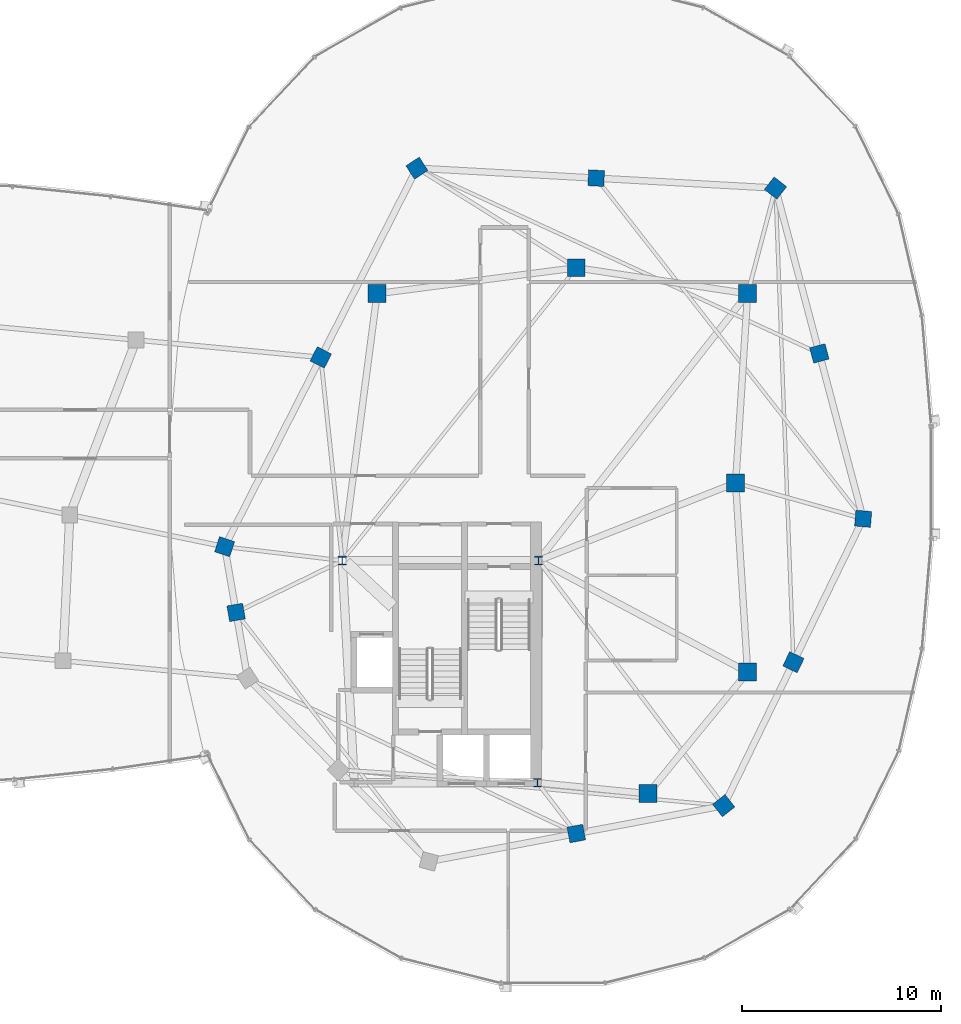
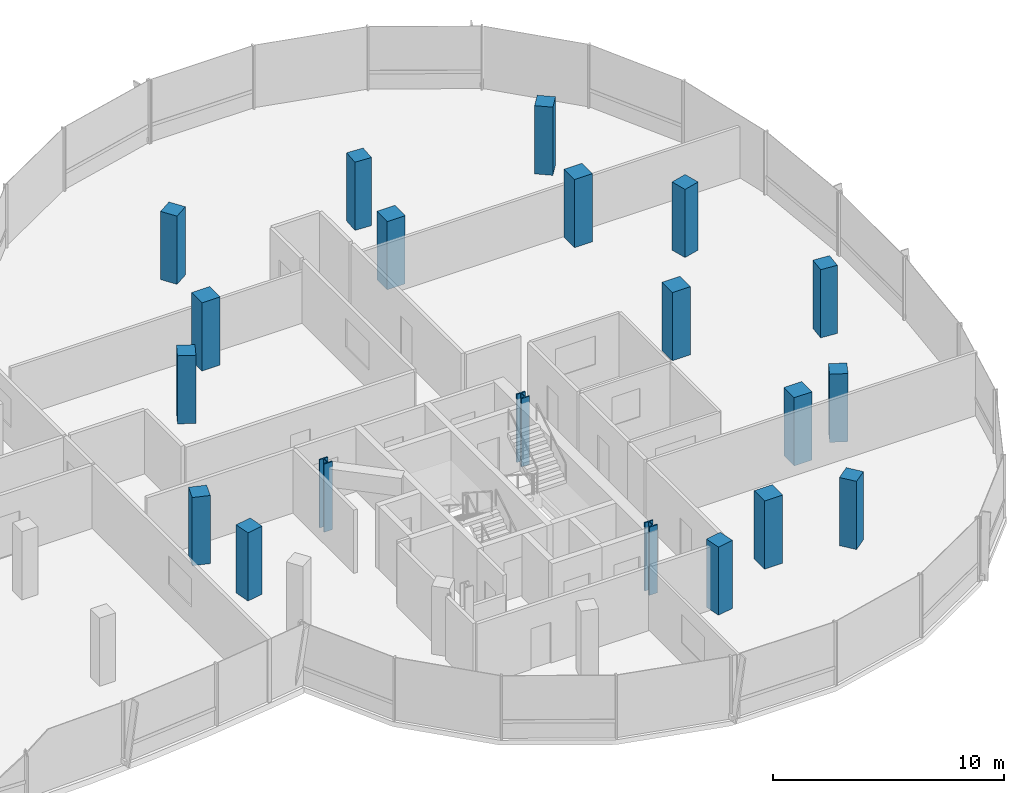
# One storey, part 2 of 25: 20 columns.
"""IFC4 building model written with IfcOpenShell, lengths in metres."""

from ifc_helpers import new_model, si_unit, direction, frame, origin, origin_2d, place, context, subcontext, project, spatial, rectangle, i_section, extrude, material, material_profile, profile_set, type_object, element, save


model = new_model("IFC4")

# Units and contexts
model_context = context("Model", 3, precision=1e-05, world=origin(), true_north=direction((0.0, 1.0)))
body_context = subcontext(model_context, "Body", "Model", "MODEL_VIEW")
ifc_project = project(units=[si_unit("LENGTHUNIT", "METRE"), si_unit("AREAUNIT", "SQUARE_METRE"), si_unit("VOLUMEUNIT", "CUBIC_METRE"), si_unit("PLANEANGLEUNIT", "RADIAN"), si_unit("MASSUNIT", "GRAM", prefix="KILO"), si_unit("THERMODYNAMICTEMPERATUREUNIT", "KELVIN"), si_unit("POWERUNIT", "WATT")], contexts=[model_context])

# Site, building, storey
site_placement = place(None, origin())
site = spatial("IfcSite", under=ifc_project, at=site_placement, CompositionType="ELEMENT")
building_placement = place(site_placement, origin())
building = spatial("IfcBuilding", under=site, at=building_placement, Name="Cundina Bronze Exchange", CompositionType="ELEMENT")
storey_placement = place(building_placement, frame((0.0, 0.0, 257.60009765625)))
storey = spatial("IfcBuildingStorey", under=building, at=storey_placement, Name="L68", CompositionType="ELEMENT", Elevation=257.60009765625)

# Columns
ifc_material_1 = material(Name="Concrete C50/60", Category="concrete")
ifc_material_profile_1 = material_profile(ifc_material_1, rectangle(XDim=0.800048828125, YDim=0.800048828125, at=origin_2d()), Name="RC800X800", Category="concrete")
ifc_profile_set_1 = profile_set([ifc_material_profile_1], Name="Concrete C50/60")
column_type_1 = type_object("IfcColumnType", Name="COL-BRG-800", PredefinedType="COLUMN", material=ifc_profile_set_1)
for number, where, z_axis, x_axis, name in (
    (1, (15.550048828125, -3.199951171875, 0.0), (0.0, 0.0, 1.0), (-0.315152163383, -0.949041155016, 0.0), "L68 E Perimeter Column 00"),
    (2, (16.125, -6.5, 0.0), (0.0, 0.0, 1.0), (0.171585221787, -0.985169280715, 0.0), "L68 E Perimeter Column 01"),
    (3, (33.199951171875, -17.60009765625, 0.0), (0.0, 0.0, 1.0), (0.98258037664, 0.185838110843, 0.0), "L68 E Perimeter Column 05"),
    (4, (40.60009765625, -16.199951171875, 0.0), (0.0, 0.0, 1.0), (0.785100778485, 0.619368038909, 0.0), "L68 E Perimeter Column 06"),
    (5, (44.10009765625, -9.0, 0.0), (0.0, 0.0, 1.0), (0.437115766651, 0.899405251566, 0.0), "L68 E Perimeter Column 07"),
    (6, (47.60009765625, -1.800048828125, 0.0), (0.0, 0.0, 1.0), (0.083503921245, 0.996507448611, 0.0), "L68 E Perimeter Column 08"),
    (7, (45.39990234375, 6.5, 0.0), (0.0, 0.0, 1.0), (-0.256289373133, 0.966600102017, 0.0), "L68 E Perimeter Column 09"),
    (8, (43.199951171875, 14.800048828125, 0.0), (0.0, 0.0, 1.0), (-0.786288432137, 0.61785961309, 0.0), "L68 E Perimeter Column 10"),
    (9, (34.199951171875, 15.300048828125, 0.0), (0.0, 0.0, 1.0), (-0.998460188734, 0.055472980025, 0.0), "L68 E Perimeter Column 11"),
    (10, (25.199951171875, 15.800048828125, 0.0), (0.0, 0.0, 1.0), (-0.838099763533, -0.545516989988, 0.0), "L68 E Perimeter Column 12"),
    (11, (20.375, 6.300048828125, 0.0), (0.0, 0.0, 1.0), (-0.452901591366, -0.891560513111, 0.0), "L68 E Perimeter Column 13"),
):
    element("IfcColumn", number, at=place(storey_placement, frame(where, z_axis=z_axis, x_axis=x_axis)), inside=storey, type_object=column_type_1, Name=name, PredefinedType="COLUMN", context=body_context, shape_type="SweptSolid", body=[
        extrude(rectangle(XDim=0.800048828125, YDim=0.800048828125, at=origin_2d()), origin(), (0.0, 0.0, 1.0), 3.599853515625),
    ])
ifc_material_2 = material(Name="Steel ASTM A992 Grade 50", Category="steel")
ifc_material_profile_2 = material_profile(ifc_material_2, i_section(OverallWidth=0.416015625, OverallDepth=0.446044921875, WebThickness=0.0390625, FlangeThickness=0.062744140625, FilletRadius=0.01806640625, at=origin_2d()), Name="W14X342", Category="steel")
ifc_profile_set_2 = profile_set([ifc_material_profile_2], Name="Steel ASTM A992 Grade 50")
column_type_2 = type_object("IfcColumnType", Name="COL-STL-W14B", PredefinedType="COLUMN", material=ifc_profile_set_2)
for number, where, z_axis, x_axis, name in (
    (12, (31.300048828125, -3.89990234375, 0.0), (0.0, 0.0, 1.0), (1.0, 0.0, 0.0), "L68 Core Anchor Column E1"),
    (13, (21.449951171875, -3.89990234375, 0.0), (0.0, 0.0, 1.0), (1.0, 0.0, 0.0), "L68 Core Anchor Column E2"),
    (14, (31.25, -15.050048828125, 0.0), (0.0, 0.0, 1.0), (1.0, 0.0, 0.0), "L68 Core Anchor Column E4"),
):
    element("IfcColumn", number, at=place(storey_placement, frame(where, z_axis=z_axis, x_axis=x_axis)), inside=storey, type_object=column_type_2, Name=name, PredefinedType="COLUMN", context=body_context, shape_type="SweptSolid", body=[
        extrude(i_section(OverallWidth=0.416015625, OverallDepth=0.446044921875, WebThickness=0.0390625, FlangeThickness=0.062744140625, FilletRadius=0.01806640625, at=origin_2d()), origin(), (0.0, 0.0, 1.0), 3.599853515625),
    ])
ifc_material_profile_3 = material_profile(ifc_material_1, rectangle(XDim=0.89990234375, YDim=0.89990234375, at=origin_2d()), Name="RC900X900", Category="concrete")
ifc_profile_set_3 = profile_set([ifc_material_profile_3], Name="Concrete C50/60")
column_type_3 = type_object("IfcColumnType", Name="COL-Z4-900", PredefinedType="COLUMN", material=ifc_profile_set_3)
for number, where, z_axis, x_axis, name in (
    (15, (41.199951171875, 0.0, 0.0), (0.0, 0.0, 1.0), (1.0, 0.0, 0.0), "L68 E Inner Ring Column 1"),
    (16, (41.800048828125, -9.5, 0.0), (0.0, 0.0, 1.0), (1.0, 0.0, 0.0), "L68 E Inner Ring Column 2"),
    (17, (36.800048828125, -15.60009765625, 0.0), (0.0, 0.0, 1.0), (1.0, 0.0, 0.0), "L68 E Inner Ring Column 3"),
    (18, (41.800048828125, 9.5, 0.0), (0.0, 0.0, 1.0), (1.0, 0.0, 0.0), "L68 E Inner Ring Column 4"),
    (19, (33.199951171875, 10.800048828125, 0.0), (0.0, 0.0, 1.0), (1.0, 0.0, 0.0), "L68 E Inner Ring Column 5"),
    (20, (23.199951171875, 9.5, 0.0), (0.0, 0.0, 1.0), (1.0, 0.0, 0.0), "L68 E Inner Ring Column 6"),
):
    element("IfcColumn", number, at=place(storey_placement, frame(where, z_axis=z_axis, x_axis=x_axis)), inside=storey, type_object=column_type_3, Name=name, PredefinedType="COLUMN", context=body_context, shape_type="SweptSolid", body=[
        extrude(rectangle(XDim=0.89990234375, YDim=0.89990234375, at=origin_2d()), origin(), (0.0, 0.0, 1.0), 3.599853515625),
    ])

save(model, "model.ifc")
